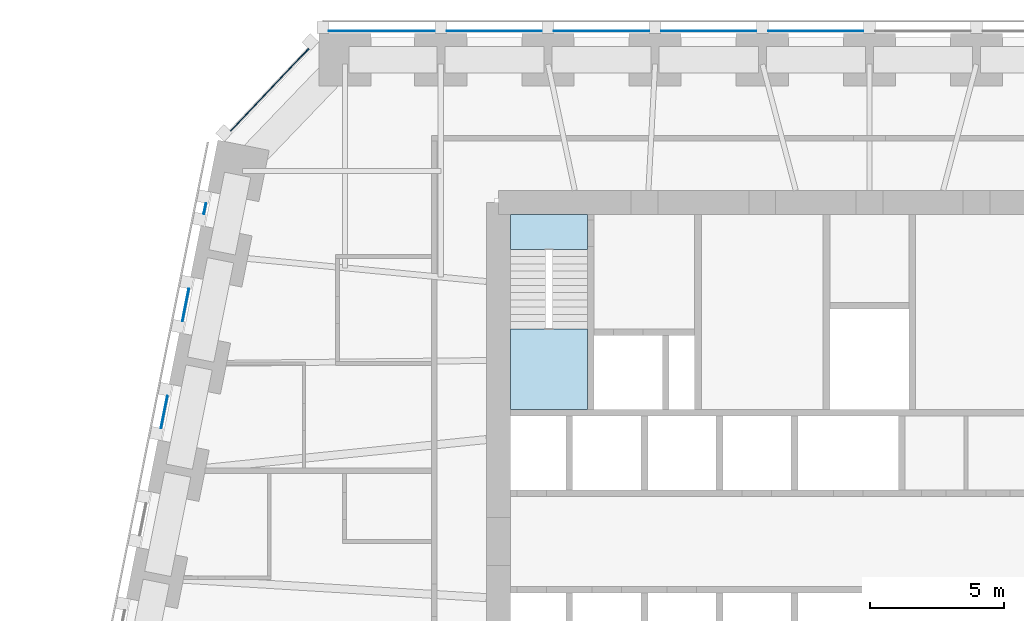
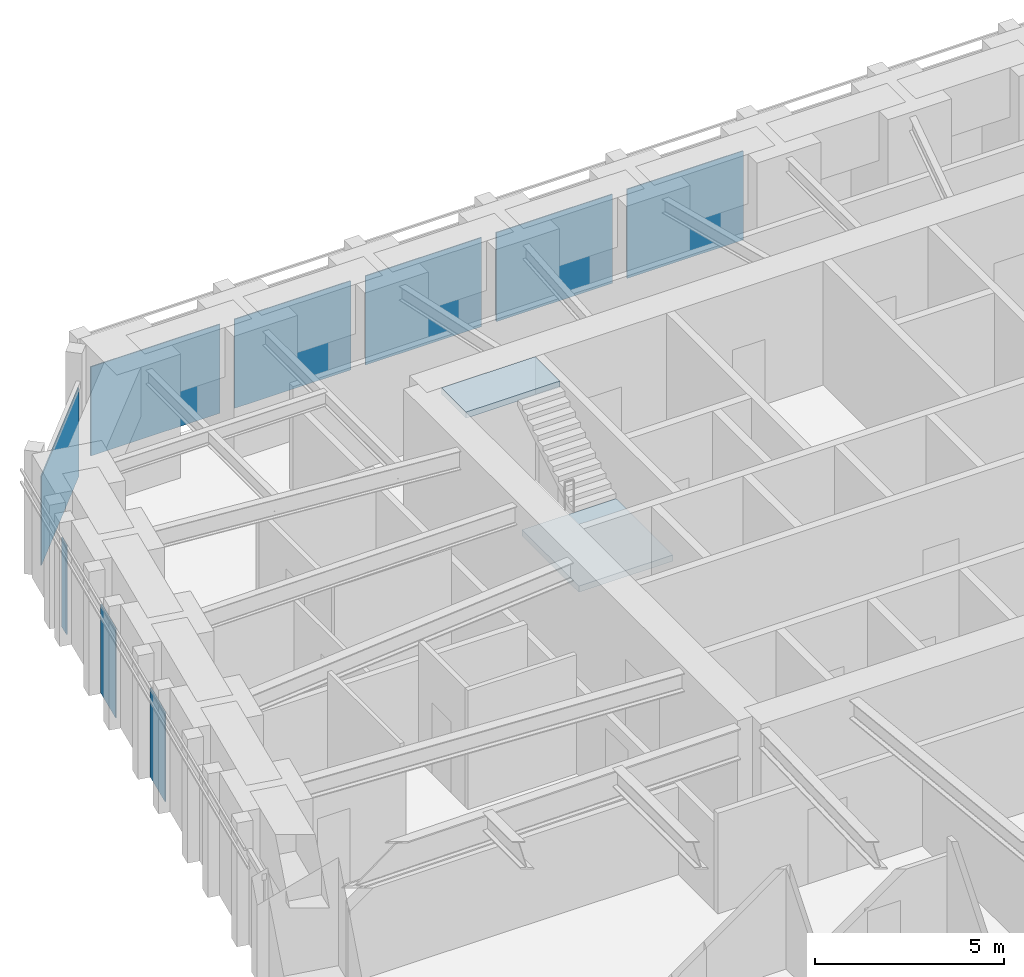
# One storey, part 10 of 16: 9 plates, 2 slabs, 6 elements without a shape of their own.
"""IFC4 building model written with IfcOpenShell, lengths in metres."""

import ifcopenshell
import ifcopenshell.guid

model = None  # the IFC model being written
_history = None  # IfcOwnerHistory: only IFC2X3 demands one
_inside = {}  # id of a spatial element -> (the spatial element, [elements in it])
_under = {}  # id of a project, library or spatial element -> (it, [spatial elements below it])
_declared = {}  # id of a project -> (the project, [libraries it declares])
_typed = {}  # id of a type object -> (the type object, [elements of that type])
_made_of = {}  # id of a material, layer set ... -> (it, [elements and type objects made of it])


def new_model(schema):
    """Start an empty IFC model of exactly this schema.

    Asked for "IFC4X3", IfcOpenShell would pick the latest addendum, in which some entities
    have other attributes; the version numbers below select the first issue.
    IFC2X3 requires an IfcOwnerHistory on every rooted entity: one is made here for all.
    """
    global model, _history
    if schema == "IFC4X3":
        model = ifcopenshell.file(schema_version=(4, 3, 0, 0))
    else:
        model = ifcopenshell.file(schema=schema)
    _inside.clear()
    _under.clear()
    _declared.clear()
    _typed.clear()
    _made_of.clear()
    _history = None
    if model.schema == "IFC2X3":
        org = make("IfcOrganization", Name="unknown")
        user = make(
            "IfcPersonAndOrganization",
            ThePerson=make("IfcPerson", FamilyName="unknown"),
            TheOrganization=org,
        )
        app = make(
            "IfcApplication",
            ApplicationDeveloper=org,
            Version="unknown",
            ApplicationFullName="unknown",
            ApplicationIdentifier="unknown",
        )
        _history = make(
            "IfcOwnerHistory",
            OwningUser=user,
            OwningApplication=app,
            ChangeAction="ADDED",
            CreationDate=0,
        )
    return model


def make(cls, **values):
    """One entity of the class cls with the attributes given. An attribute that is None is left unset."""
    return model.create_entity(
        cls, **{name: value for name, value in values.items() if value is not None}
    )


def rooted(cls, **values):
    """An entity with a GlobalId (a new one), such as an element, a storey or a relation."""
    return make(cls, GlobalId=ifcopenshell.guid.new(), OwnerHistory=_history, **values)


def si_unit(unit_type, name, prefix=None):
    """IfcSIUnit, for example si_unit("LENGTHUNIT", "METRE", prefix="MILLI")."""
    return make("IfcSIUnit", UnitType=unit_type, Prefix=prefix, Name=name)


def assignment(units):
    """IfcUnitAssignment: the units of a project."""
    return None if units is None else make("IfcUnitAssignment", Units=units)


def point(xyz):
    """IfcCartesianPoint."""
    return None if xyz is None else make("IfcCartesianPoint", Coordinates=xyz)


def direction(xyz):
    """IfcDirection."""
    return None if xyz is None else make("IfcDirection", DirectionRatios=xyz)


def frame(location, z_axis=None, x_axis=None):
    """IfcAxis2Placement3D, a coordinate frame: its origin and axes. An axis left out is left unset."""
    return make(
        "IfcAxis2Placement3D",
        Location=point(location),
        Axis=direction(z_axis),
        RefDirection=direction(x_axis),
    )


def frame_2d(location, x_axis=None):
    """IfcAxis2Placement2D, a coordinate frame in the plane: its origin and x axis."""
    return make(
        "IfcAxis2Placement2D", Location=point(location), RefDirection=direction(x_axis)
    )


def origin():
    """The frame at (0, 0, 0) with its axes left unset."""
    return frame((0.0, 0.0, 0.0))


def origin_2d():
    """The frame at (0, 0) in the plane with its x axis left unset."""
    return frame_2d((0.0, 0.0))


def place(relative_to, where):
    """IfcLocalPlacement: puts the frame where relative to a parent placement (None: the world)."""
    return make(
        "IfcLocalPlacement", PlacementRelTo=relative_to, RelativePlacement=where
    )


def context(
    kind, dimensions, precision=None, world=None, true_north=None, identifier=None
):
    """IfcGeometricRepresentationContext, for example the 3D "Model" context."""
    return make(
        "IfcGeometricRepresentationContext",
        ContextIdentifier=identifier,
        ContextType=kind,
        CoordinateSpaceDimension=dimensions,
        Precision=precision,
        WorldCoordinateSystem=world,
        TrueNorth=true_north,
    )


def subcontext(parent, identifier, kind, view, scale=None):
    """IfcGeometricRepresentationSubContext, for example "Body" below "Model"."""
    return make(
        "IfcGeometricRepresentationSubContext",
        ContextIdentifier=identifier,
        ContextType=kind,
        ParentContext=parent,
        TargetScale=scale,
        TargetView=view,
    )


def project(units=None, contexts=None):
    """IfcProject with its units and contexts."""
    return rooted(
        "IfcProject",
        Name="project",
        RepresentationContexts=contexts,
        UnitsInContext=assignment(units),
    )


def spatial(cls, under=None, at=None, **own):
    """A site, building, storey or space (cls), placed at a placement, below another one or the project."""
    s = rooted(cls, ObjectPlacement=at, **own)
    if under is not None:
        _under.setdefault(under.id(), (under, []))[1].append(s)
    return s


def polyline(points):
    """IfcPolyline through the points."""
    return make("IfcPolyline", Points=[point(p) for p in points])


def profile(cls, at=None, kind="AREA", **sizes):
    """A parametric profile (cls). Its sizes go by their IFC names, for example OverallWidth=200.0."""
    return make(cls, ProfileType=kind, Position=at, **sizes)


def rectangle(**sizes):
    """IfcRectangleProfileDef."""
    return profile("IfcRectangleProfileDef", **sizes)


def outline(outer, holes=None, kind="AREA"):
    """IfcArbitraryClosedProfileDef: a profile drawn as a closed curve; with holes, ...WithVoids."""
    if holes is None:
        return make("IfcArbitraryClosedProfileDef", ProfileType=kind, OuterCurve=outer)
    return make(
        "IfcArbitraryProfileDefWithVoids",
        ProfileType=kind,
        OuterCurve=outer,
        InnerCurves=holes,
    )


def extrude(swept, where, along, depth):
    """IfcExtrudedAreaSolid: the profile swept, set in the frame where, extruded along a direction by depth."""
    return make(
        "IfcExtrudedAreaSolid",
        SweptArea=swept,
        Position=where,
        ExtrudedDirection=direction(along),
        Depth=depth,
    )


def shape(context_of_items, identifier, shape_type, items):
    """IfcShapeRepresentation: the items that make up one representation, for example the "Body"."""
    return make(
        "IfcShapeRepresentation",
        ContextOfItems=context_of_items,
        RepresentationIdentifier=identifier,
        RepresentationType=shape_type,
        Items=items,
    )


def material(Name=None, Category=None):
    """IfcMaterial."""
    return make("IfcMaterial", Name=Name, Category=Category)


def layer(
    of_material, thickness, ventilated=None, Name=None, Category=None, Priority=None
):
    """IfcMaterialLayer: one layer of a wall or slab, of a material (None: an air gap)."""
    return make(
        "IfcMaterialLayer",
        Material=of_material,
        LayerThickness=thickness,
        IsVentilated=ventilated,
        Name=Name,
        Category=Category,
        Priority=Priority,
    )


def layer_set(layers, Name=None):
    """IfcMaterialLayerSet."""
    return make("IfcMaterialLayerSet", MaterialLayers=layers, LayerSetName=Name)


def made_of(thing, what):
    """Note that an element or type object is made of a material, layer set ...; save() writes the relation."""
    if what is not None:
        _made_of.setdefault(what.id(), (what, []))[1].append(thing)
    return thing


def type_object(cls, material=None, **own):
    """A type object (cls), such as IfcWallType, which elements share."""
    return made_of(rooted(cls, **own), material)


def element(
    cls,
    number,
    at=None,
    inside=None,
    cuts=None,
    type_object=None,
    material=None,
    context=None,
    identifier="Body",
    shape_type=None,
    held_by="IfcProductDefinitionShape",
    body=None,
    shapes=None,
    **own,
):
    """One element of the class cls, such as IfcWall. Its Tag is "e" and its number.

    at: its placement. inside: the storey or other place that contains it. cuts: it is an
    opening in that element (IfcRelVoidsElement). A single representation is given by context,
    identifier, shape_type and body (its items); several are given by shapes. held_by: the class
    of the entity that holds the representations. save() writes the other relations.
    """
    e = rooted(cls, Tag="e%d" % number, ObjectPlacement=at, **own)
    if body is not None:
        shapes = [shape(context, identifier, shape_type, body)]
    if shapes is not None:
        e.Representation = make(held_by, Representations=shapes)
    if inside is not None:
        _inside.setdefault(inside.id(), (inside, []))[1].append(e)
    if cuts is not None:
        rooted(
            "IfcRelVoidsElement", RelatingBuildingElement=cuts, RelatedOpeningElement=e
        )
    if type_object is not None:
        _typed.setdefault(type_object.id(), (type_object, []))[1].append(e)
    return made_of(e, material)


def aggregate(whole, parts):
    """IfcRelAggregates: a whole, such as a stair, and the parts it consists of."""
    return rooted("IfcRelAggregates", RelatingObject=whole, RelatedObjects=parts)


def save(model, path):
    """Write the relations noted so far, then the file.

    IfcRelAggregates (storeys below a building ...), IfcRelContainedInSpatialStructure (elements
    in a storey), IfcRelDefinesByType, IfcRelAssociatesMaterial and IfcRelDeclares: one each for
    every whole, place, type object, material and project.
    """
    for whole, parts in _under.values():
        aggregate(whole, parts)
    for where, things in _inside.values():
        rooted(
            "IfcRelContainedInSpatialStructure",
            RelatedElements=things,
            RelatingStructure=where,
        )
    for kind, things in _typed.values():
        rooted("IfcRelDefinesByType", RelatedObjects=things, RelatingType=kind)
    for what, things in _made_of.values():
        rooted("IfcRelAssociatesMaterial", RelatedObjects=things, RelatingMaterial=what)
    for by, libraries in _declared.values():
        rooted("IfcRelDeclares", RelatingContext=by, RelatedDefinitions=libraries)
    model.write(path)


model = new_model("IFC4")

# Units and contexts
model_context = context("Model", 3, precision=1e-05, world=origin(), true_north=direction((0.0, 1.0)))
body_context = subcontext(model_context, "Body", "Model", "MODEL_VIEW")
ifc_project = project(units=[si_unit("LENGTHUNIT", "METRE"), si_unit("AREAUNIT", "SQUARE_METRE"), si_unit("VOLUMEUNIT", "CUBIC_METRE"), si_unit("PLANEANGLEUNIT", "RADIAN"), si_unit("MASSUNIT", "GRAM", prefix="KILO")], contexts=[model_context])

# Site, building, storey
site_placement = place(None, origin())
site = spatial("IfcSite", under=ifc_project, at=site_placement, CompositionType="ELEMENT")
building_placement = place(site_placement, origin())
building = spatial("IfcBuilding", under=site, at=building_placement, Name="Isbrekke Arena Tower", CompositionType="ELEMENT")
storey_placement = place(building_placement, frame((0.0, 0.0, 40.0)))
storey = spatial("IfcBuildingStorey", under=building, at=storey_placement, Name="L07", CompositionType="ELEMENT", Elevation=40.0)

# Curtain wall, plates
ifc_material_1 = material(Name="Glazed aluminium curtain wall", Category="aluminium")
curtain_wall_type = type_object("IfcCurtainWallType", Name="CWL TOWER CURTAIN WALL LOW ZONE", PredefinedType="USERDEFINED", material=ifc_material_1)
curtain_wall_1_placement = place(storey_placement, origin())
curtain_wall_1 = element("IfcCurtainWall", 1, at=curtain_wall_1_placement, inside=storey, type_object=curtain_wall_type, Name="CWL curtain wall L07-N", ObjectType="TOWER CURTAIN WALL LOW ZONE", PredefinedType="USERDEFINED")
ifc_material_2 = material(Name="Triple-glazed clear glass unit", Category="glass")
ifc_layer_1 = layer(ifc_material_2, 0.031982421875)
ifc_layer_set_1 = layer_set([ifc_layer_1], Name="CWL-P VISION PANEL")
plate_type = type_object("IfcPlateType", Name="CWL-P VISION PANEL", PredefinedType="CURTAIN_PANEL", material=ifc_layer_set_1)
plate_1_placement = place(storey_placement, frame((-2.0, 30.25, 0.02001953125), z_axis=(0.0, 0.0, 1.0), x_axis=(-1.0, 0.0, 0.0)))
plate_1 = element("IfcPlate", 2, at=plate_1_placement, type_object=plate_type, Name="CWL-P panel 6", PredefinedType="CURTAIN_PANEL", context=body_context, shape_type="SweptSolid", body=[
    extrude(rectangle(XDim=3.550048828125, YDim=0.031982421875, at=origin_2d()), origin(), (0.0, 0.0, 1.0), 2.8798828125),
])
plate_2_placement = place(storey_placement, frame((-6.0, 30.25, 0.02001953125), z_axis=(0.0, 0.0, 1.0), x_axis=(-1.0, 0.0, 0.0)))
plate_2 = element("IfcPlate", 3, at=plate_2_placement, type_object=plate_type, Name="CWL-P panel 7", PredefinedType="CURTAIN_PANEL", context=body_context, shape_type="SweptSolid", body=[
    extrude(rectangle(XDim=3.550048828125, YDim=0.031982421875, at=origin_2d()), origin(), (0.0, 0.0, 1.0), 2.8798828125),
])
plate_3_placement = place(storey_placement, frame((-10.0, 30.25, 0.02001953125), z_axis=(0.0, 0.0, 1.0), x_axis=(-1.0, 0.0, 0.0)))
plate_3 = element("IfcPlate", 4, at=plate_3_placement, type_object=plate_type, Name="CWL-P panel 8", PredefinedType="CURTAIN_PANEL", context=body_context, shape_type="SweptSolid", body=[
    extrude(rectangle(XDim=3.550048828125, YDim=0.031982421875, at=origin_2d()), origin(), (0.0, 0.0, 1.0), 2.8798828125),
])
plate_4_placement = place(storey_placement, frame((-14.0, 30.25, 0.02001953125), z_axis=(0.0, 0.0, 1.0), x_axis=(-1.0, 0.0, 0.0)))
plate_4 = element("IfcPlate", 5, at=plate_4_placement, type_object=plate_type, Name="CWL-P panel 9", PredefinedType="CURTAIN_PANEL", context=body_context, shape_type="SweptSolid", body=[
    extrude(rectangle(XDim=3.550048828125, YDim=0.031982421875, at=origin_2d()), origin(), (0.0, 0.0, 1.0), 2.8798828125),
])
plate_5_placement = place(storey_placement, frame((-18.199951171875, 30.25, 0.02001953125), z_axis=(0.0, 0.0, 1.0), x_axis=(-1.0, 0.0, 0.0)))
plate_5 = element("IfcPlate", 6, at=plate_5_placement, type_object=plate_type, Name="CWL-P panel 10", PredefinedType="CURTAIN_PANEL", context=body_context, shape_type="SweptSolid", body=[
    extrude(rectangle(XDim=3.949951171875, YDim=0.031982421875, at=origin_2d()), origin(), (0.0, 0.0, 1.0), 2.8798828125),
])
aggregate(curtain_wall_1, [plate_1, plate_2, plate_3, plate_4, plate_5])

# Curtain wall, plate
curtain_wall_2_placement = place(storey_placement, origin())
curtain_wall_2 = element("IfcCurtainWall", 7, at=curtain_wall_2_placement, inside=storey, type_object=curtain_wall_type, Name="CWL curtain wall L07-NW", ObjectType="TOWER CURTAIN WALL LOW ZONE", PredefinedType="USERDEFINED")
plate_6_placement = place(storey_placement, frame((-22.38623046875, 28.054443359375, 0.02001953125), z_axis=(0.0, 0.0, 1.0), x_axis=(-0.68874946192, -0.72499943359, 0.0)))
plate_6 = element("IfcPlate", 8, at=plate_6_placement, type_object=plate_type, Name="CWL-P panel 1", PredefinedType="CURTAIN_PANEL", context=body_context, shape_type="SweptSolid", body=[
    extrude(rectangle(XDim=4.22802734375, YDim=0.031982421875, at=origin_2d()), origin(), (0.0, 0.0, 1.0), 2.8798828125),
])
aggregate(curtain_wall_2, [plate_6])

curtain_wall_3_placement = place(storey_placement, origin())
curtain_wall_3 = element("IfcCurtainWall", 9, at=curtain_wall_3_placement, inside=storey, type_object=curtain_wall_type, Name="CWL curtain wall L07-W", ObjectType="TOWER CURTAIN WALL LOW ZONE", PredefinedType="USERDEFINED")
plate_7_placement = place(storey_placement, frame((-24.80322265625, 23.62109375, 0.02001953125), z_axis=(0.0, 0.0, 1.0), x_axis=(-0.196116135138, -0.980580675691, 0.0)))
plate_7 = element("IfcPlate", 10, at=plate_7_placement, type_object=plate_type, Name="CWL-P panel 1", PredefinedType="CURTAIN_PANEL", context=body_context, shape_type="SweptSolid", body=[
    extrude(rectangle(XDim=0.40625, YDim=0.031982421875, at=origin_2d()), origin(), (0.0, 0.0, 1.0), 2.8798828125),
])
aggregate(curtain_wall_3, [plate_7])

curtain_wall_4_placement = place(storey_placement, origin())
curtain_wall_4 = element("IfcCurtainWall", 11, at=curtain_wall_4_placement, inside=storey, type_object=curtain_wall_type, Name="CWL curtain wall L07-W3", ObjectType="TOWER CURTAIN WALL LOW ZONE", PredefinedType="USERDEFINED")
plate_8_placement = place(storey_placement, frame((-25.5224609375, 20.0244140625, 0.02001953125), z_axis=(0.0, 0.0, 1.0), x_axis=(-0.196116135138, -0.980580675691, 0.0)))
plate_8 = element("IfcPlate", 12, at=plate_8_placement, type_object=plate_type, Name="CWL-P panel 1", PredefinedType="CURTAIN_PANEL", context=body_context, shape_type="SweptSolid", body=[
    extrude(rectangle(XDim=1.229248046875, YDim=0.031982421875, at=origin_2d()), origin(), (0.0, 0.0, 1.0), 2.8798828125),
])
aggregate(curtain_wall_4, [plate_8])

curtain_wall_5_placement = place(storey_placement, origin())
curtain_wall_5 = element("IfcCurtainWall", 13, at=curtain_wall_5_placement, inside=storey, type_object=curtain_wall_type, Name="CWL curtain wall L07-W5", ObjectType="TOWER CURTAIN WALL LOW ZONE", PredefinedType="USERDEFINED")
plate_9_placement = place(storey_placement, frame((-26.322509765625, 16.0244140625, 0.02001953125), z_axis=(0.0, 0.0, 1.0), x_axis=(-0.196116135138, -0.980580675691, 0.0)))
plate_9 = element("IfcPlate", 14, at=plate_9_placement, type_object=plate_type, Name="CWL-P panel 1", PredefinedType="CURTAIN_PANEL", context=body_context, shape_type="SweptSolid", body=[
    extrude(rectangle(XDim=1.229248046875, YDim=0.031982421875, at=origin_2d()), origin(), (0.0, 0.0, 1.0), 2.8798828125),
])
aggregate(curtain_wall_5, [plate_9])

# Stair, slabs
ifc_material_3 = material(Name="Concrete B45 (C45/55) precast", Category="concrete")
stair_type = type_object("IfcStairType", Name="ST40 STAIR 1300 WIDE, 24 RISERS 167", PredefinedType="HALF_TURN_STAIR", material=ifc_material_3)
stair_placement = place(storey_placement, origin())
stair = element("IfcStair", 15, at=stair_placement, inside=storey, type_object=stair_type, Name="ST1 stair L07", PredefinedType="HALF_TURN_STAIR")
ifc_material_4 = material(Name="Concrete B35 (C35/45)", Category="concrete")
ifc_layer_2 = layer(ifc_material_4, 0.199951171875)
ifc_layer_set_2 = layer_set([ifc_layer_2], Name="SL1 STAIR LANDING 200")
slab_type = type_object("IfcSlabType", Name="SL1 STAIR LANDING 200", PredefinedType="LANDING", material=ifc_layer_set_2)
slab_1_placement = place(storey_placement, frame((0.0, 0.0, 1.800048828125)))
slab_1 = element("IfcSlab", 16, at=slab_1_placement, type_object=slab_type, Name="ST1 landing 1", PredefinedType="LANDING", context=body_context, shape_type="SweptSolid", body=[
    extrude(outline(polyline([(-13.39990234375, 16.125), (-10.52490234375, 16.125), (-10.52490234375, 19.1298828125), (-13.39990234375, 19.1298828125), (-13.39990234375, 16.125)])), origin(), (0.0, 0.0, 1.0), 0.199951171875),
])
slab_2_placement = place(storey_placement, frame((0.0, 0.0, 3.800048828125)))
slab_2 = element("IfcSlab", 17, at=slab_2_placement, type_object=slab_type, Name="ST1 landing 2", PredefinedType="LANDING", context=body_context, shape_type="SweptSolid", body=[
    extrude(outline(polyline([(-13.39990234375, 22.10009765625), (-10.52490234375, 22.10009765625), (-10.52490234375, 23.39990234375), (-13.39990234375, 23.39990234375), (-13.39990234375, 22.10009765625)])), origin(), (0.0, 0.0, 1.0), 0.199951171875),
])
aggregate(stair, [slab_1, slab_2])

save(model, "model.ifc")
